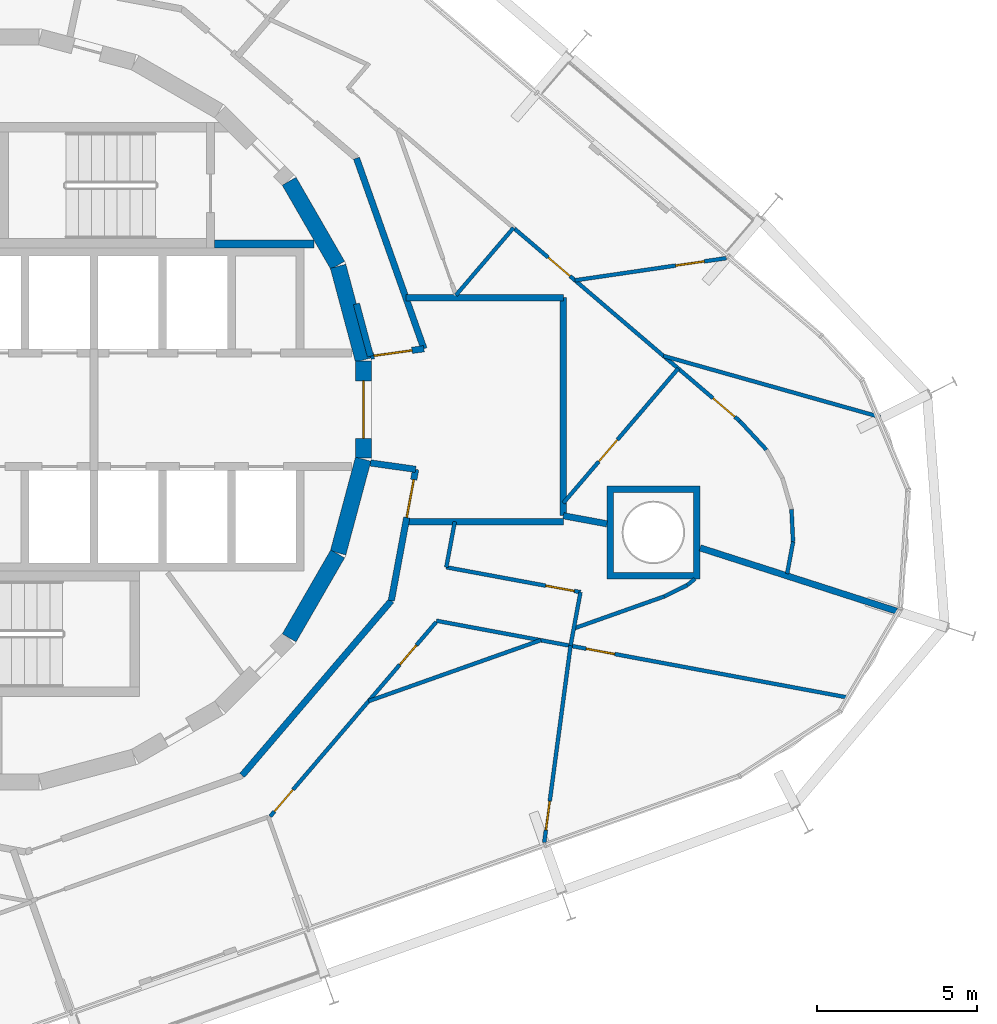
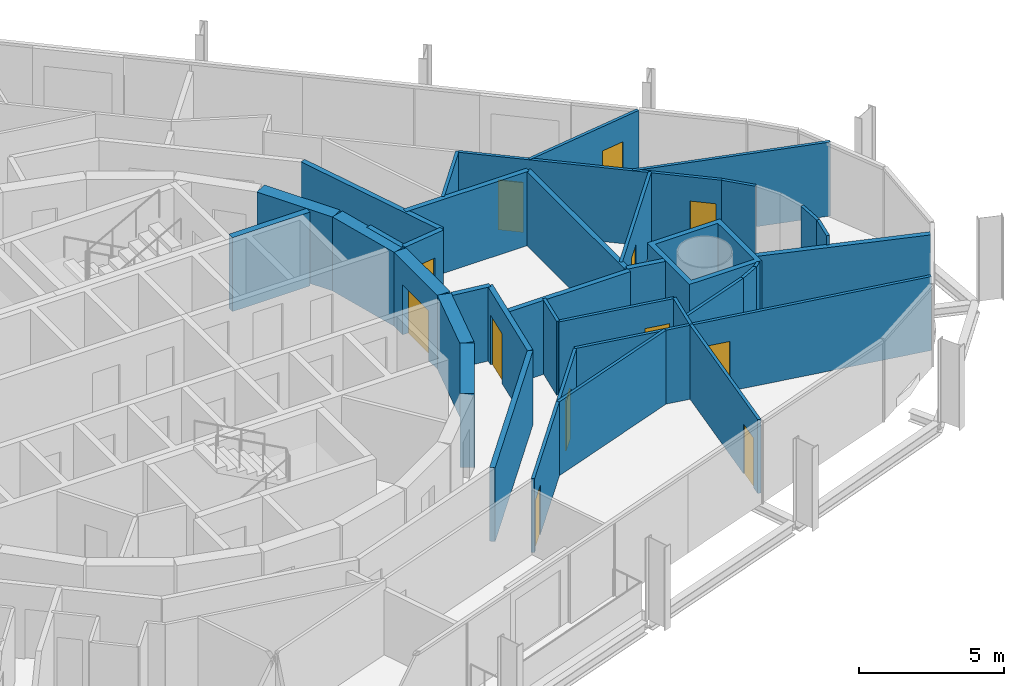
# One storey, part 13 of 17: 36 walls, 12 doors, 12 openings.
"""IFC4 building model written with IfcOpenShell, lengths in metres."""

from ifc_helpers import new_model, si_unit, direction, frame, frame_2d, origin, place, context, subcontext, project, spatial, polyline, rectangle, outline, extrude, material, layer, layer_set, type_object, element, fill, save


model = new_model("IFC4")

# Units and contexts
model_context = context("Model", 3, precision=1e-05, world=origin(), true_north=direction((0.0, 1.0)))
body_context = subcontext(model_context, "Body", "Model", "MODEL_VIEW")
ifc_project = project(units=[si_unit("LENGTHUNIT", "METRE"), si_unit("AREAUNIT", "SQUARE_METRE"), si_unit("VOLUMEUNIT", "CUBIC_METRE"), si_unit("PLANEANGLEUNIT", "RADIAN"), si_unit("MASSUNIT", "GRAM", prefix="KILO")], contexts=[model_context])

# Site, building, storey
site_placement = place(None, origin())
site = spatial("IfcSite", under=ifc_project, at=site_placement, CompositionType="ELEMENT")
building_placement = place(site_placement, origin())
building = spatial("IfcBuilding", under=site, at=building_placement, Name="Spindle Arch Residences", CompositionType="ELEMENT")
storey_placement = place(building_placement, frame((0.0, 0.0, 155.199951171875)))
storey = spatial("IfcBuildingStorey", under=building, at=storey_placement, Name="L38", CompositionType="ELEMENT", Elevation=155.199951171875)

# Walls
ifc_material_1 = material(Name="Concrete C50/60", Category="concrete")
ifc_layer_1 = layer(ifc_material_1, 0.5)
ifc_layer_set_1 = layer_set([ifc_layer_1], Name="Core outline wall 500")
wall_type_1 = type_object("IfcWallType", Name="Core outline wall 500", PredefinedType="SHEAR", material=ifc_layer_set_1)
for number, where, z_axis, x_axis, name in (
    (1, (9.32861328125, -7.13671875, 0.0), (0.0, 0.0, 1.0), (0.500087131594, 0.865975092491, 0.0), "Core outline wall 4"),
    (2, (10.858154296875, -4.479248046875, 0.0), (0.0, 0.0, 1.0), (0.258734743916, 0.965948410781, 0.0), "Core outline wall 5"),
):
    element("IfcWall", number, at=place(storey_placement, frame(where, z_axis=z_axis, x_axis=x_axis)), inside=storey, type_object=wall_type_1, Name=name, PredefinedType="SHEAR", context=body_context, shape_type="SweptSolid", body=[
        extrude(rectangle(XDim=3.03271484375, YDim=0.5, at=frame_2d((1.516357421875, 0.0))), origin(), (0.0, 0.0, 1.0), 3.1201171875),
    ])

# Wall, opening, door
wall_1_placement = place(storey_placement, frame((11.647216796875, -1.516357421875, 0.0), z_axis=(0.0, 0.0, 1.0), x_axis=(0.0, 1.0, 0.0)))
wall_1 = element("IfcWall", 3, at=wall_1_placement, inside=storey, type_object=wall_type_1, Name="Core outline wall 6", PredefinedType="SHEAR", context=body_context, shape_type="SweptSolid", body=[
    extrude(rectangle(XDim=3.03271484375, YDim=0.5, at=frame_2d((1.516357421875, 0.0))), origin(), (0.0, 0.0, 1.0), 3.1201171875),
])
opening_1_placement = place(wall_1_placement, frame((0.6162109375, 0.0, 0.0)))
opening_1 = element("IfcOpeningElement", 4, at=opening_1_placement, cuts=wall_1, Name="Opening R4A1-FE01", PredefinedType="OPENING", context=body_context, shape_type="SweptSolid", body=[
    extrude(rectangle(XDim=1.800048828125, YDim=2.10009765625, at=frame_2d((0.89990234375, 1.050048828125))), frame((0.0, 0.260009765625, 0.0), z_axis=(0.0, -1.0, 0.0), x_axis=(1.0, 0.0, 0.0)), (0.0, 0.0, 1.0), 0.52001953125),
])
ifc_material_2 = material(Name="Steel, fire-resisting door", Category="steel")
door_type_1 = type_object("IfcDoorType", Name="Fire-lift lobby door 1800x2100", OperationType="DOUBLE_DOOR_SINGLE_SWING", PredefinedType="DOOR", material=ifc_material_2)
door_1_placement = place(opening_1_placement, origin())
door_1 = element("IfcDoor", 5, at=door_1_placement, inside=storey, type_object=door_type_1, Name="Fire-lift lobby door R4A1-FE01", OperationType="DOUBLE_DOOR_SINGLE_SWING", OverallHeight=2.10009765625, OverallWidth=1.800048828125, PredefinedType="DOOR", context=body_context, shape_type="SweptSolid", body=[
    extrude(rectangle(XDim=1.800048828125, YDim=2.10009765625, at=frame_2d((0.89990234375, 1.050048828125))), frame((0.0, 0.02490234375, 0.0), z_axis=(0.0, -1.0, 0.0), x_axis=(1.0, 0.0, 0.0)), (0.0, 0.0, 1.0), 0.050048828125),
])
fill(opening_1, door_1)

# Walls
for number, where, z_axis, x_axis, name in (
    (6, (11.642822265625, 1.5498046875, 0.0), (0.0, 0.0, 1.0), (-0.258734743916, 0.965948410781, 0.0), "Core outline wall 7"),
    (7, (10.84521484375, 4.510498046875, 0.0), (0.0, 0.0, 1.0), (-0.500087131594, 0.865975092491, 0.0), "Core outline wall 8"),
):
    element("IfcWall", number, at=place(storey_placement, frame(where, z_axis=z_axis, x_axis=x_axis)), inside=storey, type_object=wall_type_1, Name=name, PredefinedType="SHEAR", context=body_context, shape_type="SweptSolid", body=[
        extrude(rectangle(XDim=3.03271484375, YDim=0.5, at=frame_2d((1.516357421875, 0.0))), origin(), (0.0, 0.0, 1.0), 3.1201171875),
    ])
ifc_material_3 = material(Name="Calcium silicate block, plastered")
ifc_layer_2 = layer(ifc_material_3, 0.199951171875)
ifc_layer_set_2 = layer_set([ifc_layer_2], Name="Corridor wall 200")
wall_type_2 = type_object("IfcWallType", Name="Corridor wall 200", PredefinedType="STANDARD", material=ifc_layer_set_2)
wall_2_placement = place(storey_placement, frame((7.857666015625, -11.432861328125, 0.0), z_axis=(0.0, 0.0, 1.0), x_axis=(0.649440801937, 0.760412154545, 0.0)))
element("IfcWall", 8, at=wall_2_placement, inside=storey, type_object=wall_type_2, Name="Corridor wall R4A1-W020", PredefinedType="STANDARD", context=body_context, shape_type="SweptSolid", body=[
    extrude(rectangle(XDim=7.180908203125, YDim=0.199951171875, at=frame_2d((3.59033203125, 0.0))), origin(), (0.0, 0.0, 1.0), 3.1201171875),
])
ifc_material_4 = material(Name="Calcium silicate block, plastered")
ifc_layer_3 = layer(ifc_material_4, 0.199951171875)
ifc_layer_set_3 = layer_set([ifc_layer_3], Name="Fire-lift lobby bay wall 200")
wall_type_3 = type_object("IfcWallType", Name="Fire-lift lobby bay wall 200", PredefinedType="STANDARD", material=ifc_layer_set_3)
wall_3_placement = place(storey_placement, frame((11.8701171875, 1.668212890625, 0.0), z_axis=(0.0, 0.0, 1.0), x_axis=(-0.258836880648, 0.965921047093, 0.0)))
element("IfcWall", 9, at=wall_3_placement, inside=storey, type_object=wall_type_3, Name="Fire-lift lobby bay wall R4A1-W001", PredefinedType="STANDARD", context=body_context, shape_type="SweptSolid", body=[
    extrude(rectangle(XDim=1.695068359375, YDim=0.199951171875, at=frame_2d((0.84765625, 0.0))), origin(), (0.0, 0.0, 1.0), 3.1201171875),
])

# Wall, opening, door
wall_4_placement = place(storey_placement, frame((11.8701171875, 1.668212890625, 0.0), z_axis=(0.0, 0.0, 1.0), x_axis=(0.990270910415, 0.139152879904, 0.0)))
wall_4 = element("IfcWall", 10, at=wall_4_placement, inside=storey, type_object=wall_type_3, Name="Fire-lift lobby bay wall R4A1-W002", PredefinedType="STANDARD", context=body_context, shape_type="SweptSolid", body=[
    extrude(rectangle(XDim=1.687744140625, YDim=0.199951171875, at=frame_2d((0.84375, 0.0))), origin(), (0.0, 0.0, 1.0), 3.1201171875),
])
opening_2_placement = place(wall_4_placement, frame((0.110107421875, 0.0, 0.0)))
opening_2 = element("IfcOpeningElement", 11, at=opening_2_placement, cuts=wall_4, Name="Opening R4A1-CD01", PredefinedType="OPENING", context=body_context, shape_type="SweptSolid", body=[
    extrude(rectangle(XDim=1.199951171875, YDim=2.10009765625, at=frame_2d((0.60009765625, 1.050048828125))), frame((0.0, 0.10986328125, 0.0), z_axis=(0.0, -1.0, 0.0), x_axis=(1.0, 0.0, 0.0)), (0.0, 0.0, 1.0), 0.219970703125),
])
ifc_material_5 = material(Name="Steel, fire-resisting door", Category="steel")
door_type_2 = type_object("IfcDoorType", Name="Corridor division door 1200x2100", OperationType="NOTDEFINED", PredefinedType="DOOR", material=ifc_material_5)
door_2_placement = place(opening_2_placement, origin())
door_2 = element("IfcDoor", 12, at=door_2_placement, inside=storey, type_object=door_type_2, Name="Corridor division door R4A1-CD01", OperationType="DOUBLE_DOOR_SINGLE_SWING", OverallHeight=2.10009765625, OverallWidth=1.199951171875, PredefinedType="DOOR", context=body_context, shape_type="SweptSolid", body=[
    extrude(rectangle(XDim=1.199951171875, YDim=2.10009765625, at=frame_2d((0.60009765625, 1.050048828125))), frame((0.0, 0.02490234375, 0.0), z_axis=(0.0, -1.0, 0.0), x_axis=(1.0, 0.0, 0.0)), (0.0, 0.0, 1.0), 0.050048828125),
])
fill(opening_2, door_2)

# Wall
wall_5_placement = place(storey_placement, frame((13.54150390625, 1.903076171875, 0.0), z_axis=(0.0, 0.0, 1.0), x_axis=(-0.333808508206, 0.942640907159, 0.0)))
element("IfcWall", 13, at=wall_5_placement, inside=storey, type_object=wall_type_3, Name="Fire-lift lobby bay wall R4A1-W003", PredefinedType="STANDARD", context=body_context, shape_type="SweptSolid", body=[
    extrude(rectangle(XDim=6.31689453125, YDim=0.199951171875, at=frame_2d((3.158447265625, 0.0))), origin(), (0.0, 0.0, 1.0), 3.1201171875),
])

# Wall, opening, door
wall_6_placement = place(storey_placement, frame((12.521240234375, -5.972412109375, 0.0), z_axis=(0.0, 0.0, 1.0), x_axis=(0.182244189886, 0.983253301674, 0.0)))
wall_6 = element("IfcWall", 14, at=wall_6_placement, inside=storey, type_object=wall_type_3, Name="Fire-lift lobby bay wall R4A1-W012", PredefinedType="STANDARD", context=body_context, shape_type="SweptSolid", body=[
    extrude(rectangle(XDim=4.175537109375, YDim=0.199951171875, at=frame_2d((2.087890625, 0.0))), origin(), (0.0, 0.0, 1.0), 3.1201171875),
])
opening_3_placement = place(wall_6_placement, frame((2.64453125, 0.0, 0.0)))
opening_3 = element("IfcOpeningElement", 15, at=opening_3_placement, cuts=wall_6, Name="Opening R4A1-CD02", PredefinedType="OPENING", context=body_context, shape_type="SweptSolid", body=[
    extrude(rectangle(XDim=1.199951171875, YDim=2.10009765625, at=frame_2d((0.60009765625, 1.050048828125))), frame((0.0, 0.10986328125, 0.0), z_axis=(0.0, -1.0, 0.0), x_axis=(1.0, 0.0, 0.0)), (0.0, 0.0, 1.0), 0.219970703125),
])
door_3_placement = place(opening_3_placement, origin())
door_3 = element("IfcDoor", 16, at=door_3_placement, inside=storey, type_object=door_type_2, Name="Corridor division door R4A1-CD02", OperationType="DOUBLE_DOOR_SINGLE_SWING", OverallHeight=2.10009765625, OverallWidth=1.199951171875, PredefinedType="DOOR", context=body_context, shape_type="SweptSolid", body=[
    extrude(rectangle(XDim=1.199951171875, YDim=2.10009765625, at=frame_2d((0.60009765625, 1.050048828125))), frame((0.0, 0.02490234375, 0.0), z_axis=(0.0, -1.0, 0.0), x_axis=(1.0, 0.0, 0.0)), (0.0, 0.0, 1.0), 0.050048828125),
])
fill(opening_3, door_3)

# Walls
wall_7_placement = place(storey_placement, frame((13.2822265625, -1.86669921875, 0.0), z_axis=(0.0, 0.0, 1.0), x_axis=(-0.990265430288, 0.139191873241, 0.0)))
element("IfcWall", 17, at=wall_7_placement, inside=storey, type_object=wall_type_3, Name="Fire-lift lobby bay wall R4A1-W013", PredefinedType="STANDARD", context=body_context, shape_type="SweptSolid", body=[
    extrude(rectangle(XDim=1.426025390625, YDim=0.199951171875, at=frame_2d((0.712890625, 0.0))), origin(), (0.0, 0.0, 1.0), 3.1201171875),
])
wall_8_placement = place(storey_placement, frame((17.89990234375, 3.5, 0.0), z_axis=(0.0, 0.0, 1.0), x_axis=(-1.0, 0.0, 0.0)))
element("IfcWall", 18, at=wall_8_placement, inside=storey, type_object=wall_type_3, Name="Fire-lift lobby bay wall R4A1-W024", PredefinedType="STANDARD", context=body_context, shape_type="SweptSolid", body=[
    extrude(rectangle(XDim=4.923828125, YDim=0.199951171875, at=frame_2d((2.4619140625, 0.0))), origin(), (0.0, 0.0, 1.0), 3.1201171875),
])
wall_9_placement = place(storey_placement, frame((17.89990234375, -3.317626953125, 0.0), z_axis=(0.0, 0.0, 1.0), x_axis=(0.0, 1.0, 0.0)))
element("IfcWall", 19, at=wall_9_placement, inside=storey, type_object=wall_type_3, Name="Fire-lift lobby bay wall R4A1-W025", PredefinedType="STANDARD", context=body_context, shape_type="SweptSolid", body=[
    extrude(rectangle(XDim=6.817626953125, YDim=0.199951171875, at=frame_2d((3.40869140625, 0.0))), origin(), (0.0, 0.0, 1.0), 3.1201171875),
])
wall_10_placement = place(storey_placement, frame((12.9794921875, -3.5, 0.0), z_axis=(0.0, 0.0, 1.0), x_axis=(1.0, 0.0, 0.0)))
element("IfcWall", 20, at=wall_10_placement, inside=storey, type_object=wall_type_3, Name="Fire-lift lobby bay wall R4A1-W026", PredefinedType="STANDARD", context=body_context, shape_type="SweptSolid", body=[
    extrude(rectangle(XDim=4.92041015625, YDim=0.199951171875, at=frame_2d((2.460205078125, 0.0))), origin(), (0.0, 0.0, 1.0), 3.1201171875),
])

# Wall, openings, doors
ifc_material_6 = material(Name="Plasterboard on steel studs", Category="steel")
ifc_layer_4 = layer(ifc_material_6, 0.1201171875)
ifc_layer_set_4 = layer_set([ifc_layer_4], Name="Flat partition 120")
wall_type_4 = type_object("IfcWallType", Name="Flat partition 120", PredefinedType="PARTITIONING", material=ifc_layer_set_4)
wall_11_placement = place(storey_placement, frame((23.411376953125, -0.35693359375, 0.0), z_axis=(0.0, 0.0, 1.0), x_axis=(-0.76041871148, 0.649433124525, 0.0)))
wall_11 = element("IfcWall", 21, at=wall_11_placement, inside=storey, type_object=wall_type_4, Name="Flat partition R4A1-W044", PredefinedType="PARTITIONING", context=body_context, shape_type="SweptSolid", body=[
    extrude(rectangle(XDim=9.2587890625, YDim=0.1201171875, at=frame_2d((4.62939453125, 0.0))), origin(), (0.0, 0.0, 1.0), 3.1201171875),
])
opening_4_placement = place(wall_11_placement, frame((6.971923828125, 0.0, 0.0)))
opening_4 = element("IfcOpeningElement", 22, at=opening_4_placement, cuts=wall_11, Name="Opening R4A1-ID02", PredefinedType="OPENING", context=body_context, shape_type="SweptSolid", body=[
    extrude(rectangle(XDim=0.89990234375, YDim=2.10009765625, at=frame_2d((0.449951171875, 1.050048828125))), frame((0.0, 0.070068359375, 0.0), z_axis=(0.0, -1.0, 0.0), x_axis=(1.0, 0.0, 0.0)), (0.0, 0.0, 1.0), 0.14013671875),
])
opening_5_placement = place(wall_11_placement, frame((0.199951171875, 0.0, 0.0)))
opening_5 = element("IfcOpeningElement", 23, at=opening_5_placement, cuts=wall_11, Name="Opening R4A1-ID05", PredefinedType="OPENING", context=body_context, shape_type="SweptSolid", body=[
    extrude(rectangle(XDim=0.89990234375, YDim=2.10009765625, at=frame_2d((0.449951171875, 1.050048828125))), frame((0.0, 0.070068359375, 0.0), z_axis=(0.0, -1.0, 0.0), x_axis=(1.0, 0.0, 0.0)), (0.0, 0.0, 1.0), 0.14013671875),
])
ifc_material_7 = material(Name="Timber door set", Category="wood")
door_type_3 = type_object("IfcDoorType", Name="Room door 900x2100", OperationType="NOTDEFINED", PredefinedType="DOOR", material=ifc_material_7)
door_4_placement = place(opening_4_placement, origin())
door_4 = element("IfcDoor", 24, at=door_4_placement, inside=storey, type_object=door_type_3, Name="Room door R4A1-ID02", OperationType="SINGLE_SWING_RIGHT", OverallHeight=2.10009765625, OverallWidth=0.89990234375, PredefinedType="DOOR", context=body_context, shape_type="SweptSolid", body=[
    extrude(rectangle(XDim=0.89990234375, YDim=2.10009765625, at=frame_2d((0.449951171875, 1.050048828125))), frame((0.0, 0.02490234375, 0.0), z_axis=(0.0, -1.0, 0.0), x_axis=(1.0, 0.0, 0.0)), (0.0, 0.0, 1.0), 0.050048828125),
])
fill(opening_4, door_4)
door_5_placement = place(opening_5_placement, origin())
door_5 = element("IfcDoor", 25, at=door_5_placement, inside=storey, type_object=door_type_3, Name="Room door R4A1-ID05", OperationType="SINGLE_SWING_LEFT", OverallHeight=2.10009765625, OverallWidth=0.89990234375, PredefinedType="DOOR", context=body_context, shape_type="SweptSolid", body=[
    extrude(rectangle(XDim=0.89990234375, YDim=2.10009765625, at=frame_2d((0.449951171875, 1.050048828125))), frame((0.0, 0.02490234375, 0.0), z_axis=(0.0, -1.0, 0.0), x_axis=(1.0, 0.0, 0.0)), (0.0, 0.0, 1.0), 0.050048828125),
])
fill(opening_5, door_5)

# Wall
wall_12_placement = place(storey_placement, frame((16.340576171875, 5.681884765625, 0.0), z_axis=(0.0, 0.0, 1.0), x_axis=(-0.64946993237, -0.76038727432, 0.0)))
element("IfcWall", 26, at=wall_12_placement, inside=storey, type_object=wall_type_4, Name="Flat partition R4A1-W045", PredefinedType="PARTITIONING", context=body_context, shape_type="SweptSolid", body=[
    extrude(rectangle(XDim=2.771240234375, YDim=0.1201171875, at=frame_2d((1.3857421875, 0.0))), origin(), (0.0, 0.0, 1.0), 3.1201171875),
])

# Wall, opening, door
wall_13_placement = place(storey_placement, frame((17.89990234375, -2.91845703125, 0.0), z_axis=(0.0, 0.0, 1.0), x_axis=(0.649469887983, 0.760387312232, 0.0)))
wall_13 = element("IfcWall", 27, at=wall_13_placement, inside=storey, type_object=wall_type_4, Name="Flat partition R4A1-W046", PredefinedType="PARTITIONING", context=body_context, shape_type="SweptSolid", body=[
    extrude(rectangle(XDim=5.52685546875, YDim=0.1201171875, at=frame_2d((2.763427734375, 0.0))), origin(), (0.0, 0.0, 1.0), 3.1201171875),
])
opening_6_placement = place(wall_13_placement, frame((1.699951171875, 0.0, 0.0)))
opening_6 = element("IfcOpeningElement", 28, at=opening_6_placement, cuts=wall_13, Name="Opening R4A1-ID04", PredefinedType="OPENING", context=body_context, shape_type="SweptSolid", body=[
    extrude(rectangle(XDim=0.89990234375, YDim=2.10009765625, at=frame_2d((0.449951171875, 1.050048828125))), frame((0.0, 0.070068359375, 0.0), z_axis=(0.0, -1.0, 0.0), x_axis=(1.0, 0.0, 0.0)), (0.0, 0.0, 1.0), 0.14013671875),
])
door_6_placement = place(opening_6_placement, origin())
door_6 = element("IfcDoor", 29, at=door_6_placement, inside=storey, type_object=door_type_3, Name="Room door R4A1-ID04", OperationType="SINGLE_SWING_LEFT", OverallHeight=2.10009765625, OverallWidth=0.89990234375, PredefinedType="DOOR", context=body_context, shape_type="SweptSolid", body=[
    extrude(rectangle(XDim=0.89990234375, YDim=2.10009765625, at=frame_2d((0.449951171875, 1.050048828125))), frame((0.0, 0.02490234375, 0.0), z_axis=(0.0, -1.0, 0.0), x_axis=(1.0, 0.0, 0.0)), (0.0, 0.0, 1.0), 0.050048828125),
])
fill(opening_6, door_6)

wall_14_placement = place(storey_placement, frame((22.99365234375, 4.73388671875, 0.0), z_axis=(0.0, 0.0, 1.0), x_axis=(-0.989449286977, -0.144879634529, 0.0)))
wall_14 = element("IfcWall", 30, at=wall_14_placement, inside=storey, type_object=wall_type_4, Name="Flat partition R4A1-W047", PredefinedType="PARTITIONING", context=body_context, shape_type="SweptSolid", body=[
    extrude(rectangle(XDim=4.782470703125, YDim=0.1201171875, at=frame_2d((2.39111328125, 0.0))), origin(), (0.0, 0.0, 1.0), 3.1201171875),
])
opening_7_placement = place(wall_14_placement, frame((0.699951171875, 0.0, 0.0)))
opening_7 = element("IfcOpeningElement", 31, at=opening_7_placement, cuts=wall_14, Name="Opening R4A1-ID03", PredefinedType="OPENING", context=body_context, shape_type="SweptSolid", body=[
    extrude(rectangle(XDim=0.89990234375, YDim=2.10009765625, at=frame_2d((0.449951171875, 1.050048828125))), frame((0.0, 0.070068359375, 0.0), z_axis=(0.0, -1.0, 0.0), x_axis=(1.0, 0.0, 0.0)), (0.0, 0.0, 1.0), 0.14013671875),
])
door_7_placement = place(opening_7_placement, origin())
door_7 = element("IfcDoor", 32, at=door_7_placement, inside=storey, type_object=door_type_3, Name="Room door R4A1-ID03", OperationType="SINGLE_SWING_LEFT", OverallHeight=2.10009765625, OverallWidth=0.89990234375, PredefinedType="DOOR", context=body_context, shape_type="SweptSolid", body=[
    extrude(rectangle(XDim=0.89990234375, YDim=2.10009765625, at=frame_2d((0.449951171875, 1.050048828125))), frame((0.0, 0.02490234375, 0.0), z_axis=(0.0, -1.0, 0.0), x_axis=(1.0, 0.0, 0.0)), (0.0, 0.0, 1.0), 0.050048828125),
])
fill(opening_7, door_7)

# Walls
wall_15_placement = place(storey_placement, frame((21.029052734375, 1.677490234375, 0.0), z_axis=(0.0, 0.0, 1.0), x_axis=(0.962458274539, -0.271429677396, 0.0)))
element("IfcWall", 33, at=wall_15_placement, inside=storey, type_object=wall_type_4, Name="Flat partition R4A1-W048", PredefinedType="PARTITIONING", context=body_context, shape_type="SweptSolid", body=[
    extrude(rectangle(XDim=7.037353515625, YDim=0.1201171875, at=frame_2d((3.5185546875, 0.0))), origin(), (0.0, 0.0, 1.0), 3.1201171875),
])
for number, where, z_axis, x_axis, name in (
    (34, (24.893798828125, -5.130615234375, 0.0), (0.0, 0.0, 1.0), (0.182140887528, 0.983272442963, 0.0), "Flat partition R4A1-W049"),
    (35, (25.078857421875, -4.131591796875, 0.0), (0.0, 0.0, 1.0), (-0.049494233422, 0.998774409393, 0.0), "Flat partition R4A1-W050"),
):
    element("IfcWall", number, at=place(storey_placement, frame(where, z_axis=z_axis, x_axis=x_axis)), inside=storey, type_object=wall_type_4, Name=name, PredefinedType="PARTITIONING", context=body_context, shape_type="SweptSolid", body=[
        extrude(rectangle(XDim=1.01611328125, YDim=0.1201171875, at=frame_2d((0.508056640625, 0.0))), origin(), (0.0, 0.0, 1.0), 3.1201171875),
    ])
wall_16_placement = place(storey_placement, frame((24.24560546875, -1.2568359375, 0.0), z_axis=(0.0, 0.0, 1.0), x_axis=(-0.679840361176, 0.733360132074, 0.0)))
element("IfcWall", 36, at=wall_16_placement, inside=storey, type_object=wall_type_4, Name="Flat partition R4A1-W053", PredefinedType="PARTITIONING", context=body_context, shape_type="SweptSolid", body=[
    extrude(rectangle(XDim=1.22705078125, YDim=0.1201171875, at=frame_2d((0.613525390625, 0.0))), origin(), (0.0, 0.0, 1.0), 3.1201171875),
])

# Wall, openings, doors
wall_17_placement = place(storey_placement, frame((8.7373046875, -12.712646484375, 0.0), z_axis=(0.0, 0.0, 1.0), x_axis=(0.649430604754, 0.760420863476, 0.0)))
wall_17 = element("IfcWall", 37, at=wall_17_placement, inside=storey, type_object=wall_type_4, Name="Flat partition R4A1-W112", PredefinedType="PARTITIONING", context=body_context, shape_type="SweptSolid", body=[
    extrude(rectangle(XDim=7.98486328125, YDim=0.1201171875, at=frame_2d((3.992431640625, 0.0))), origin(), (0.0, 0.0, 1.0), 3.1201171875),
])
opening_8_placement = place(wall_17_placement, frame((0.199951171875, 0.0, 0.0)))
opening_8 = element("IfcOpeningElement", 38, at=opening_8_placement, cuts=wall_17, Name="Opening R4A1-ID26", PredefinedType="OPENING", context=body_context, shape_type="SweptSolid", body=[
    extrude(rectangle(XDim=0.89990234375, YDim=2.10009765625, at=frame_2d((0.449951171875, 1.050048828125))), frame((0.0, 0.070068359375, 0.0), z_axis=(0.0, -1.0, 0.0), x_axis=(1.0, 0.0, 0.0)), (0.0, 0.0, 1.0), 0.14013671875),
])
opening_9_placement = place(wall_17_placement, frame((6.234130859375, 0.0, 0.0)))
opening_9 = element("IfcOpeningElement", 39, at=opening_9_placement, cuts=wall_17, Name="Opening R4A1-BD06", PredefinedType="OPENING", context=body_context, shape_type="SweptSolid", body=[
    extrude(rectangle(XDim=0.800048828125, YDim=2.10009765625, at=frame_2d((0.39990234375, 1.050048828125))), frame((0.0, 0.070068359375, 0.0), z_axis=(0.0, -1.0, 0.0), x_axis=(1.0, 0.0, 0.0)), (0.0, 0.0, 1.0), 0.14013671875),
])
ifc_material_8 = material(Name="Timber door set", Category="wood")
door_type_4 = type_object("IfcDoorType", Name="Bathroom door 800x2100", OperationType="NOTDEFINED", PredefinedType="DOOR", material=ifc_material_8)
door_8_placement = place(opening_9_placement, origin())
door_8 = element("IfcDoor", 40, at=door_8_placement, inside=storey, type_object=door_type_4, Name="Bathroom door R4A1-BD06", OperationType="SINGLE_SWING_RIGHT", OverallHeight=2.10009765625, OverallWidth=0.800048828125, PredefinedType="DOOR", context=body_context, shape_type="SweptSolid", body=[
    extrude(rectangle(XDim=0.800048828125, YDim=2.10009765625, at=frame_2d((0.39990234375, 1.050048828125))), frame((0.0, 0.02490234375, 0.0), z_axis=(0.0, -1.0, 0.0), x_axis=(1.0, 0.0, 0.0)), (0.0, 0.0, 1.0), 0.050048828125),
])
fill(opening_9, door_8)
door_9_placement = place(opening_8_placement, origin())
door_9 = element("IfcDoor", 41, at=door_9_placement, inside=storey, type_object=door_type_3, Name="Room door R4A1-ID26", OperationType="SINGLE_SWING_RIGHT", OverallHeight=2.10009765625, OverallWidth=0.89990234375, PredefinedType="DOOR", context=body_context, shape_type="SweptSolid", body=[
    extrude(rectangle(XDim=0.89990234375, YDim=2.10009765625, at=frame_2d((0.449951171875, 1.050048828125))), frame((0.0, 0.02490234375, 0.0), z_axis=(0.0, -1.0, 0.0), x_axis=(1.0, 0.0, 0.0)), (0.0, 0.0, 1.0), 0.050048828125),
])
fill(opening_8, door_9)

# Wall, opening, door
wall_18_placement = place(storey_placement, frame((13.930419921875, -6.60009765625, 0.0), z_axis=(0.0, 0.0, 1.0), x_axis=(0.983034896283, -0.183418626887, 0.0)))
wall_18 = element("IfcWall", 42, at=wall_18_placement, inside=storey, type_object=wall_type_4, Name="Flat partition R4A1-W113", PredefinedType="PARTITIONING", context=body_context, shape_type="SweptSolid", body=[
    extrude(rectangle(XDim=13.065673828125, YDim=0.1201171875, at=frame_2d((6.53271484375, 0.0))), origin(), (0.0, 0.0, 1.0), 3.1201171875),
])
opening_10_placement = place(wall_18_placement, frame((4.765625, 0.0, 0.0)))
opening_10 = element("IfcOpeningElement", 43, at=opening_10_placement, cuts=wall_18, Name="Opening R4A1-ID29", PredefinedType="OPENING", context=body_context, shape_type="SweptSolid", body=[
    extrude(rectangle(XDim=0.89990234375, YDim=2.10009765625, at=frame_2d((0.449951171875, 1.050048828125))), frame((0.0, 0.070068359375, 0.0), z_axis=(0.0, -1.0, 0.0), x_axis=(1.0, 0.0, 0.0)), (0.0, 0.0, 1.0), 0.14013671875),
])
door_10_placement = place(opening_10_placement, origin())
door_10 = element("IfcDoor", 44, at=door_10_placement, inside=storey, type_object=door_type_3, Name="Room door R4A1-ID29", OperationType="SINGLE_SWING_RIGHT", OverallHeight=2.10009765625, OverallWidth=0.89990234375, PredefinedType="DOOR", context=body_context, shape_type="SweptSolid", body=[
    extrude(rectangle(XDim=0.89990234375, YDim=2.10009765625, at=frame_2d((0.449951171875, 1.050048828125))), frame((0.0, 0.02490234375, 0.0), z_axis=(0.0, -1.0, 0.0), x_axis=(1.0, 0.0, 0.0)), (0.0, 0.0, 1.0), 0.050048828125),
])
fill(opening_10, door_10)

# Wall
wall_19_placement = place(storey_placement, frame((18.124755859375, -7.37744140625, 0.0), z_axis=(0.0, 0.0, 1.0), x_axis=(0.182233242958, 0.983255330604, 0.0)))
element("IfcWall", 45, at=wall_19_placement, inside=storey, type_object=wall_type_4, Name="Flat partition R4A1-W114", PredefinedType="PARTITIONING", context=body_context, shape_type="SweptSolid", body=[
    extrude(rectangle(XDim=1.7001953125, YDim=0.1201171875, at=frame_2d((0.85009765625, 0.0))), origin(), (0.0, 0.0, 1.0), 3.1201171875),
])

# Wall, opening, door
wall_20_placement = place(storey_placement, frame((18.4345703125, -5.705810546875, 0.0), z_axis=(0.0, 0.0, 1.0), x_axis=(-0.983256187302, 0.18222862051, 0.0)))
wall_20 = element("IfcWall", 46, at=wall_20_placement, inside=storey, type_object=wall_type_4, Name="Flat partition R4A1-W115", PredefinedType="PARTITIONING", context=body_context, shape_type="SweptSolid", body=[
    extrude(rectangle(XDim=4.265869140625, YDim=0.1201171875, at=frame_2d((2.1328125, 0.0))), origin(), (0.0, 0.0, 1.0), 3.1201171875),
])
opening_11_placement = place(wall_20_placement, frame((0.199951171875, 0.0, 0.0)))
opening_11 = element("IfcOpeningElement", 47, at=opening_11_placement, cuts=wall_20, Name="Opening R4A1-ID27", PredefinedType="OPENING", context=body_context, shape_type="SweptSolid", body=[
    extrude(rectangle(XDim=0.89990234375, YDim=2.10009765625, at=frame_2d((0.449951171875, 1.050048828125))), frame((0.0, 0.070068359375, 0.0), z_axis=(0.0, -1.0, 0.0), x_axis=(1.0, 0.0, 0.0)), (0.0, 0.0, 1.0), 0.14013671875),
])
door_11_placement = place(opening_11_placement, origin())
door_11 = element("IfcDoor", 48, at=door_11_placement, inside=storey, type_object=door_type_3, Name="Room door R4A1-ID27", OperationType="SINGLE_SWING_LEFT", OverallHeight=2.10009765625, OverallWidth=0.89990234375, PredefinedType="DOOR", context=body_context, shape_type="SweptSolid", body=[
    extrude(rectangle(XDim=0.89990234375, YDim=2.10009765625, at=frame_2d((0.449951171875, 1.050048828125))), frame((0.0, 0.02490234375, 0.0), z_axis=(0.0, -1.0, 0.0), x_axis=(1.0, 0.0, 0.0)), (0.0, 0.0, 1.0), 0.050048828125),
])
fill(opening_11, door_11)

# Walls
wall_21_placement = place(storey_placement, frame((14.240234375, -4.928466796875, 0.0), z_axis=(0.0, 0.0, 1.0), x_axis=(0.182329957282, 0.983237400976, 0.0)))
element("IfcWall", 49, at=wall_21_placement, inside=storey, type_object=wall_type_4, Name="Flat partition R4A1-W116", PredefinedType="PARTITIONING", context=body_context, shape_type="SweptSolid", body=[
    extrude(rectangle(XDim=1.452880859375, YDim=0.1201171875, at=frame_2d((0.7265625, 0.0))), origin(), (0.0, 0.0, 1.0), 3.1201171875),
])
wall_22_placement = place(storey_placement, frame((17.197509765625, -7.20556640625, 0.0), z_axis=(0.0, 0.0, 1.0), x_axis=(-0.942639551003, -0.333812337826, 0.0)))
element("IfcWall", 50, at=wall_22_placement, inside=storey, type_object=wall_type_4, Name="Flat partition R4A1-W118", PredefinedType="PARTITIONING", context=body_context, shape_type="SweptSolid", body=[
    extrude(rectangle(XDim=5.71337890625, YDim=0.1201171875, at=frame_2d((2.856689453125, 0.0))), origin(), (0.0, 0.0, 1.0), 3.1201171875),
])

# Wall, opening, door
wall_23_placement = place(storey_placement, frame((17.30029296875, -13.5341796875, 0.0), z_axis=(0.0, 0.0, 1.0), x_axis=(0.132727504799, 0.991152566192, 0.0)))
wall_23 = element("IfcWall", 51, at=wall_23_placement, inside=storey, type_object=wall_type_4, Name="Flat partition R4A1-W119", PredefinedType="PARTITIONING", context=body_context, shape_type="SweptSolid", body=[
    extrude(rectangle(XDim=6.211669921875, YDim=0.1201171875, at=frame_2d((3.10595703125, 0.0))), origin(), (0.0, 0.0, 1.0), 3.1201171875),
])
opening_12_placement = place(wall_23_placement, frame((0.39990234375, 0.0, 0.0)))
opening_12 = element("IfcOpeningElement", 52, at=opening_12_placement, cuts=wall_23, Name="Opening R4A1-ID28", PredefinedType="OPENING", context=body_context, shape_type="SweptSolid", body=[
    extrude(rectangle(XDim=0.89990234375, YDim=2.10009765625, at=frame_2d((0.449951171875, 1.050048828125))), frame((0.0, 0.070068359375, 0.0), z_axis=(0.0, -1.0, 0.0), x_axis=(1.0, 0.0, 0.0)), (0.0, 0.0, 1.0), 0.14013671875),
])
door_12_placement = place(opening_12_placement, origin())
door_12 = element("IfcDoor", 53, at=door_12_placement, inside=storey, type_object=door_type_3, Name="Room door R4A1-ID28", OperationType="SINGLE_SWING_RIGHT", OverallHeight=2.10009765625, OverallWidth=0.89990234375, PredefinedType="DOOR", context=body_context, shape_type="SweptSolid", body=[
    extrude(rectangle(XDim=0.89990234375, YDim=2.10009765625, at=frame_2d((0.449951171875, 1.050048828125))), frame((0.0, 0.02490234375, 0.0), z_axis=(0.0, -1.0, 0.0), x_axis=(1.0, 0.0, 0.0)), (0.0, 0.0, 1.0), 0.050048828125),
])
fill(opening_12, door_12)

# Walls
wall_24_placement = place(storey_placement, frame((22.013427734375, -5.2890625, 0.0), z_axis=(0.0, 0.0, 1.0), x_axis=(-0.771907381926, -0.635735002755, 0.0)))
element("IfcWall", 54, at=wall_24_placement, inside=storey, type_object=wall_type_4, Name="Flat partition R4A1-W120", PredefinedType="PARTITIONING", context=body_context, shape_type="SweptSolid", body=[
    extrude(rectangle(XDim=0.308349609375, YDim=0.1201171875, at=frame_2d((0.154296875, 0.0))), origin(), (0.0, 0.0, 1.0), 3.1201171875),
])
wall_25_placement = place(storey_placement, frame((21.775390625, -5.485107421875, 0.0), z_axis=(0.0, 0.0, 1.0), x_axis=(-0.897493373385, -0.441027940986, 0.0)))
element("IfcWall", 55, at=wall_25_placement, inside=storey, type_object=wall_type_4, Name="Flat partition R4A1-W121", PredefinedType="PARTITIONING", context=body_context, shape_type="SweptSolid", body=[
    extrude(rectangle(XDim=0.806640625, YDim=0.1201171875, at=frame_2d((0.4033203125, 0.0))), origin(), (0.0, 0.0, 1.0), 3.1201171875),
])
wall_26_placement = place(storey_placement, frame((21.051513671875, -5.8408203125, 0.0), z_axis=(0.0, 0.0, 1.0), x_axis=(-0.94262615799, -0.33385015542, 0.0)))
element("IfcWall", 56, at=wall_26_placement, inside=storey, type_object=wall_type_4, Name="Flat partition R4A1-W122", PredefinedType="PARTITIONING", context=body_context, shape_type="SweptSolid", body=[
    extrude(rectangle(XDim=2.999755859375, YDim=0.1201171875, at=frame_2d((1.5, 0.0))), origin(), (0.0, 0.0, 1.0), 3.1201171875),
])
ifc_material_9 = material(Name="Calcium silicate block, plastered")
ifc_layer_5 = layer(ifc_material_9, 0.199951171875)
ifc_layer_set_5 = layer_set([ifc_layer_5], Name="Flat party wall 200")
wall_type_5 = type_object("IfcWallType", Name="Flat party wall 200", PredefinedType="STANDARD", material=ifc_layer_set_5)
wall_27_placement = place(storey_placement, frame((17.89990234375, -3.317626953125, 0.0), z_axis=(0.0, 0.0, 1.0), x_axis=(0.983252800712, -0.182246892682, 0.0)))
element("IfcWall", 57, at=wall_27_placement, inside=storey, type_object=wall_type_5, Name="Flat party wall R4A1-W029", PredefinedType="STANDARD", context=body_context, shape_type="SweptSolid", body=[
    extrude(rectangle(XDim=1.386474609375, YDim=0.199951171875, at=frame_2d((0.693359375, 0.0))), origin(), (0.0, 0.0, 1.0), 3.1201171875),
])
ifc_material_10 = material(Name="Calcium silicate block, plastered")
ifc_layer_6 = layer(ifc_material_10, 0.199951171875)
ifc_layer_set_6 = layer_set([ifc_layer_6], Name="Flat party wall 200 under beam 2730")
wall_type_6 = type_object("IfcWallType", Name="Flat party wall 200 under beam 2730", PredefinedType="STANDARD", material=ifc_layer_set_6)
wall_28_placement = place(storey_placement, frame((22.173095703125, -4.322021484375, 0.0), z_axis=(0.0, 0.0, 1.0), x_axis=(0.951906405572, -0.306388960362, 0.0)))
element("IfcWall", 58, at=wall_28_placement, inside=storey, type_object=wall_type_6, Name="Flat party wall R4A1-W028", PredefinedType="STANDARD", context=body_context, shape_type="SweptSolid", body=[
    extrude(rectangle(XDim=6.450439453125, YDim=0.199951171875, at=frame_2d((3.22509765625, 0.0))), origin(), (0.0, 0.0, 1.0), 2.72998046875),
])
ifc_material_11 = material(Name="Calcium silicate block, plastered")
ifc_layer_7 = layer(ifc_material_11, 0.199951171875)
ifc_layer_set_7 = layer_set([ifc_layer_7], Name="Mega-column casing wall 200")
wall_type_7 = type_object("IfcWallType", Name="Mega-column casing wall 200", PredefinedType="STANDARD", material=ifc_layer_set_7)
wall_29_placement = place(storey_placement, origin())
element("IfcWall", 59, at=wall_29_placement, inside=storey, type_object=wall_type_7, Name="Mega-column casing wall R4A1-WC03", PredefinedType="STANDARD", context=body_context, shape_type="SweptSolid", body=[
    extrude(outline(polyline([(22.1630859375, -2.388916015625), (22.1630859375, -5.2890625), (19.26318359375, -5.2890625), (19.26318359375, -2.388916015625), (22.1630859375, -2.388916015625)]), holes=[polyline([(19.463134765625, -5.089111328125), (21.963134765625, -5.089111328125), (21.963134765625, -2.589111328125), (19.463134765625, -2.589111328125), (19.463134765625, -5.089111328125)])]), origin(), (0.0, 0.0, 1.0), 3.1201171875),
])
ifc_material_12 = material(Name="Concrete C40/50", Category="concrete")
ifc_layer_8 = layer(ifc_material_12, 0.25)
ifc_layer_set_8 = layer_set([ifc_layer_8], Name="Stair airlock wall 250")
wall_type_8 = type_object("IfcWallType", Name="Stair airlock wall 250", PredefinedType="SHEAR", material=ifc_layer_set_8)
wall_30_placement = place(storey_placement, frame((7.0, 5.175048828125, 0.0), z_axis=(0.0, 0.0, 1.0), x_axis=(1.0, 0.0, 0.0)))
element("IfcWall", 60, at=wall_30_placement, inside=storey, type_object=wall_type_8, Name="Stair ST-1 airlock wall S", PredefinedType="SHEAR", context=body_context, shape_type="SweptSolid", body=[
    extrude(rectangle(XDim=3.10009765625, YDim=0.25, at=frame_2d((1.550048828125, 0.0))), origin(), (0.0, 0.0, 1.0), 3.1201171875),
])

save(model, "model.ifc")
